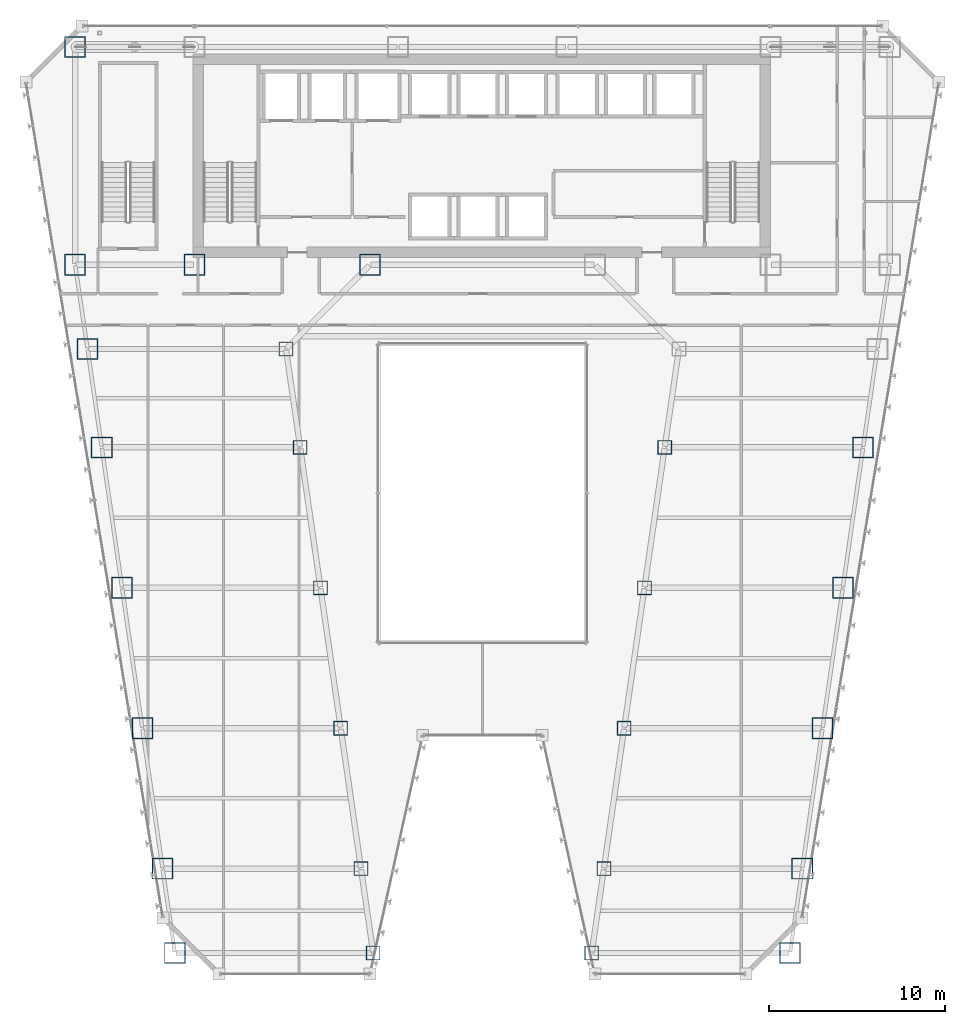
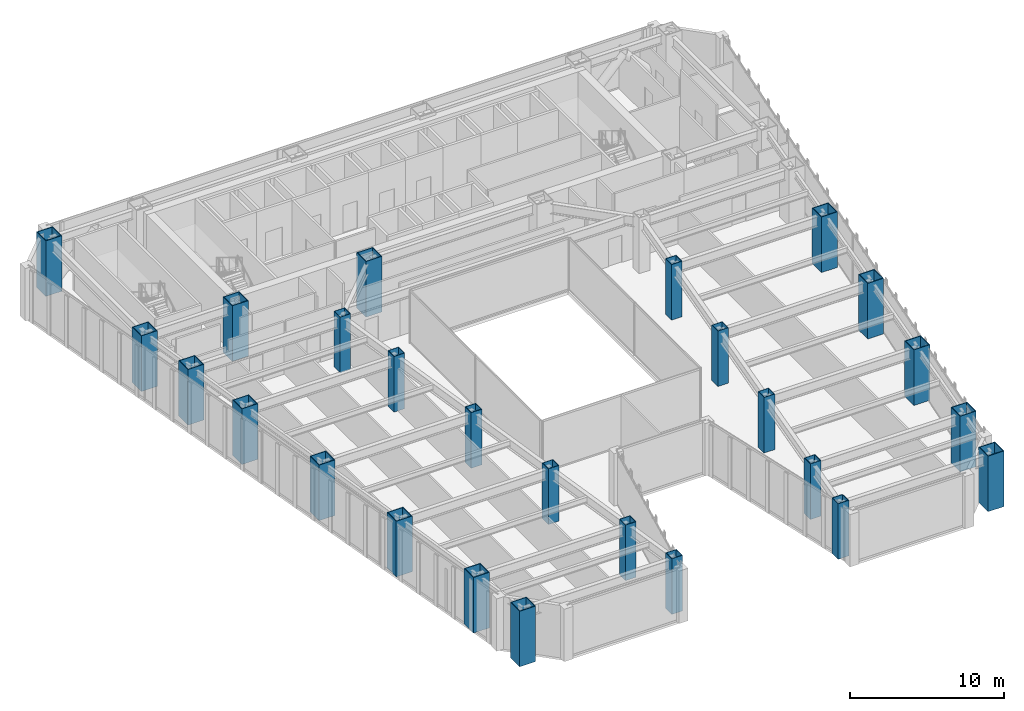
# One storey, part 1 of 47: 26 columns.
"""IFC4 building model written with IfcOpenShell, lengths in metres."""

from ifc_helpers import new_model, si_unit, direction, frame, origin, origin_2d, place, context, subcontext, project, spatial, hollow_rectangle, extrude, material, material_profile, profile_set, type_object, element, save


model = new_model("IFC4")

# Units and contexts
model_context = context("Model", 3, precision=1e-05, world=origin(), true_north=direction((0.0, 1.0)))
body_context = subcontext(model_context, "Body", "Model", "MODEL_VIEW")
ifc_project = project(units=[si_unit("LENGTHUNIT", "METRE"), si_unit("AREAUNIT", "SQUARE_METRE"), si_unit("VOLUMEUNIT", "CUBIC_METRE"), si_unit("PLANEANGLEUNIT", "RADIAN"), si_unit("MASSUNIT", "GRAM", prefix="KILO")], contexts=[model_context])

# Site, building, storey
site_placement = place(None, origin())
site = spatial("IfcSite", under=ifc_project, at=site_placement, CompositionType="ELEMENT")
building_placement = place(site_placement, origin())
building = spatial("IfcBuilding", under=site, at=building_placement, Name="Saevonmaru Cultural Tower", CompositionType="ELEMENT")
storey_placement = place(building_placement, frame((0.0, 0.0, 78.0)))
storey = spatial("IfcBuildingStorey", under=building, at=storey_placement, Name="L16", CompositionType="ELEMENT", Elevation=78.0)

# Columns
ifc_material_1 = material(Name="Steel HSA600 (600 MPa)", Category="steel")
ifc_material_profile_1 = material_profile(ifc_material_1, hollow_rectangle(XDim=1.199951171875, YDim=1.199951171875, WallThickness=0.054931640625, at=origin_2d()), Name="BOX-1200x1200x55")
ifc_profile_set_1 = profile_set([ifc_material_profile_1], Name="Steel HSA600 (600 MPa)")
column_type_1 = type_object("IfcColumnType", Name="COL-BOX-1200", PredefinedType="COLUMN", material=ifc_profile_set_1)
for number, where, z_axis, x_axis, name in (
    (1, (6.800048828125, 54.800048828125, 0.0), (0.0, 0.0, 1.0), (1.0, 0.0, 0.0), "L16 Column TC-N1N"),
    (2, (6.800048828125, 42.39990234375, 0.0), (0.0, 0.0, 1.0), (1.0, 0.0, 0.0), "L16 Column TC-S1C"),
    (3, (13.60009765625, 42.39990234375, 0.0), (0.0, 0.0, 1.0), (1.0, 0.0, 0.0), "L16 Column TC-S2C"),
    (4, (23.60009765625, 42.39990234375, 0.0), (0.0, 0.0, 1.0), (1.0, 0.0, 0.0), "L16 Column TC-S3C"),
    (5, (12.47705078125, 3.199951171875, 0.0), (0.0, 0.0, 1.0), (1.0, 0.0, 0.0), "L16 Column TC-WO-Y032"),
    (6, (47.52294921875, 3.199951171875, 0.0), (0.0, 0.0, 1.0), (1.0, 0.0, 0.0), "L16 Column TC-EO-Y032"),
    (7, (11.782958984375, 8.0, 0.0), (0.0, 0.0, 1.0), (1.0, 0.0, 0.0), "L16 Column TC-WO-Y080"),
    (8, (48.217041015625, 8.0, 0.0), (0.0, 0.0, 1.0), (1.0, 0.0, 0.0), "L16 Column TC-EO-Y080"),
    (9, (10.6279296875, 16.0, 0.0), (0.0, 0.0, 1.0), (1.0, 0.0, 0.0), "L16 Column TC-WO-Y160"),
    (10, (49.3720703125, 16.0, 0.0), (0.0, 0.0, 1.0), (1.0, 0.0, 0.0), "L16 Column TC-EO-Y160"),
    (11, (9.471923828125, 24.0, 0.0), (0.0, 0.0, 1.0), (1.0, 0.0, 0.0), "L16 Column TC-WO-Y240"),
    (12, (50.528076171875, 24.0, 0.0), (0.0, 0.0, 1.0), (1.0, 0.0, 0.0), "L16 Column TC-EO-Y240"),
    (13, (8.31689453125, 32.0, 0.0), (0.0, 0.0, 1.0), (1.0, 0.0, 0.0), "L16 Column TC-WO-Y320"),
    (14, (51.68310546875, 32.0, 0.0), (0.0, 0.0, 1.0), (1.0, 0.0, 0.0), "L16 Column TC-EO-Y320"),
    (15, (7.508056640625, 37.60009765625, 0.0), (0.0, 0.0, 1.0), (1.0, 0.0, 0.0), "L16 Column TC-WO-Y376"),
):
    element("IfcColumn", number, at=place(storey_placement, frame(where, z_axis=z_axis, x_axis=x_axis)), inside=storey, type_object=column_type_1, Name=name, PredefinedType="COLUMN", context=body_context, shape_type="SweptSolid", body=[
        extrude(hollow_rectangle(XDim=1.199951171875, YDim=1.199951171875, WallThickness=0.054931640625, at=origin_2d()), origin(), (0.0, 0.0, 1.0), 4.39990234375),
    ])
ifc_material_2 = material(Name="Steel SM420", Category="steel")
ifc_material_profile_2 = material_profile(ifc_material_2, hollow_rectangle(XDim=0.800048828125, YDim=0.800048828125, WallThickness=0.035888671875, at=origin_2d()), Name="BOX-800x800x36")
ifc_profile_set_2 = profile_set([ifc_material_profile_2], Name="Steel SM420")
column_type_2 = type_object("IfcColumnType", Name="COL-BOX-800", PredefinedType="COLUMN", material=ifc_profile_set_2)
for number, where, z_axis, x_axis, name in (
    (16, (23.777099609375, 3.199951171875, 0.0), (0.0, 0.0, 1.0), (1.0, 0.0, 0.0), "L16 Column TC-WI-Y032"),
    (17, (36.222900390625, 3.199951171875, 0.0), (0.0, 0.0, 1.0), (1.0, 0.0, 0.0), "L16 Column TC-EI-Y032"),
    (18, (23.0830078125, 8.0, 0.0), (0.0, 0.0, 1.0), (1.0, 0.0, 0.0), "L16 Column TC-WI-Y080"),
    (19, (36.9169921875, 8.0, 0.0), (0.0, 0.0, 1.0), (1.0, 0.0, 0.0), "L16 Column TC-EI-Y080"),
    (20, (21.927978515625, 16.0, 0.0), (0.0, 0.0, 1.0), (1.0, 0.0, 0.0), "L16 Column TC-WI-Y160"),
    (21, (38.072021484375, 16.0, 0.0), (0.0, 0.0, 1.0), (1.0, 0.0, 0.0), "L16 Column TC-EI-Y160"),
    (22, (20.77197265625, 24.0, 0.0), (0.0, 0.0, 1.0), (1.0, 0.0, 0.0), "L16 Column TC-WI-Y240"),
    (23, (39.22802734375, 24.0, 0.0), (0.0, 0.0, 1.0), (1.0, 0.0, 0.0), "L16 Column TC-EI-Y240"),
    (24, (19.616943359375, 32.0, 0.0), (0.0, 0.0, 1.0), (1.0, 0.0, 0.0), "L16 Column TC-WI-Y320"),
    (25, (40.383056640625, 32.0, 0.0), (0.0, 0.0, 1.0), (1.0, 0.0, 0.0), "L16 Column TC-EI-Y320"),
    (26, (18.80810546875, 37.60009765625, 0.0), (0.0, 0.0, 1.0), (1.0, 0.0, 0.0), "L16 Column TC-WI-Y376"),
):
    element("IfcColumn", number, at=place(storey_placement, frame(where, z_axis=z_axis, x_axis=x_axis)), inside=storey, type_object=column_type_2, Name=name, PredefinedType="COLUMN", context=body_context, shape_type="SweptSolid", body=[
        extrude(hollow_rectangle(XDim=0.800048828125, YDim=0.800048828125, WallThickness=0.035888671875, at=origin_2d()), origin(), (0.0, 0.0, 1.0), 4.39990234375),
    ])

save(model, "model.ifc")
